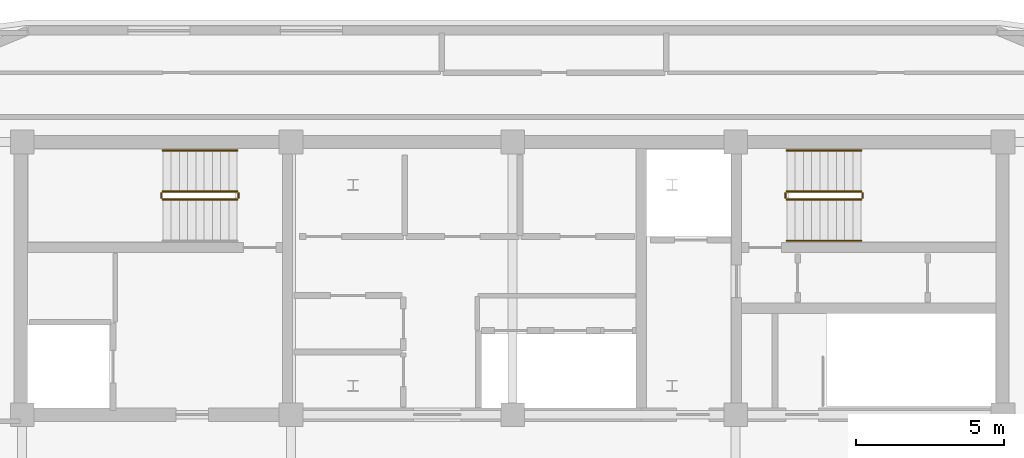
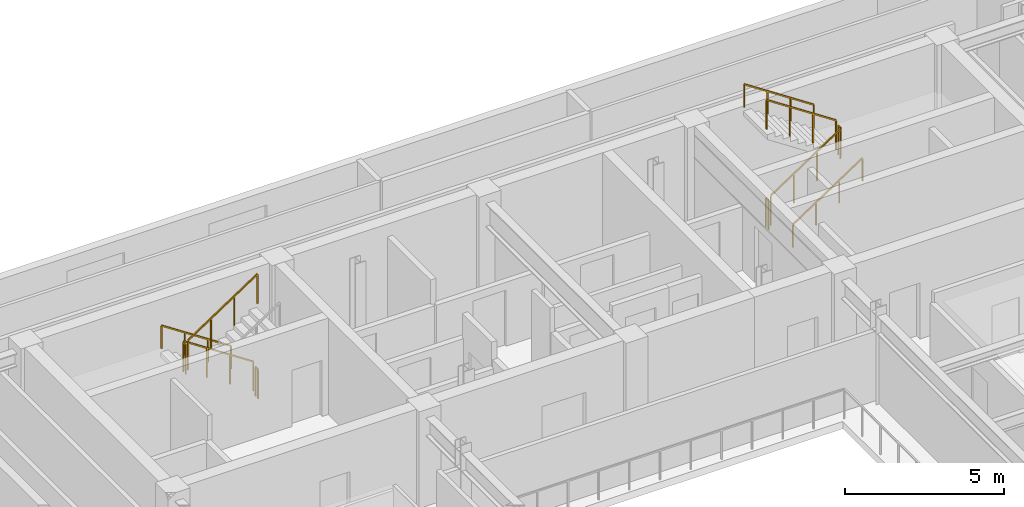
# One storey, part 11 of 11: 11 railings.
"""IFC4 building model written with IfcOpenShell, lengths in metres."""

from ifc_helpers import new_model, si_unit, direction, frame, origin, origin_2d, place, context, subcontext, project, spatial, rectangle, extrude, material, type_object, element, save


model = new_model("IFC4")

# Units and contexts
model_context = context("Model", 3, precision=1e-05, world=origin(), true_north=direction((0.0, 1.0)))
body_context = subcontext(model_context, "Body", "Model", "MODEL_VIEW")
ifc_project = project(units=[si_unit("LENGTHUNIT", "METRE"), si_unit("AREAUNIT", "SQUARE_METRE"), si_unit("VOLUMEUNIT", "CUBIC_METRE"), si_unit("PLANEANGLEUNIT", "RADIAN"), si_unit("MASSUNIT", "GRAM", prefix="KILO")], contexts=[model_context])

# Site, building, storey
site_placement = place(None, origin())
site = spatial("IfcSite", under=ifc_project, at=site_placement, CompositionType="ELEMENT")
building_placement = place(site_placement, origin())
building = spatial("IfcBuilding", under=site, at=building_placement, Name="Zarnavel Station Tower", CompositionType="ELEMENT")
storey_placement = place(building_placement, frame((0.0, 0.0, 276.89990234375)))
storey = spatial("IfcBuildingStorey", under=building, at=storey_placement, Name="L75", CompositionType="ELEMENT", Elevation=276.89990234375)

# Railings
ifc_material_1 = material(Name="Painted Steel S355J2 Balustrade", Category="steel")
railing_type_1 = type_object("IfcRailingType", Name="GR_INT_1150", PredefinedType="GUARDRAIL", material=ifc_material_1)
railing_1_placement = place(storey_placement, frame((19.47998046875, 35.3701171875, 0.18505859375)))
element("IfcRailing", 1, at=railing_1_placement, inside=storey, type_object=railing_type_1, Name="L75 ST1 stair guard 1", PredefinedType="GUARDRAIL", context=body_context, shape_type="SweptSolid", body=[
    extrude(rectangle(XDim=0.048095703125, YDim=0.048095703125, at=origin_2d()), frame((-0.001708984375, 0.0, 1.126953125), z_axis=(-0.834331337432, 0.0, 0.55126329406), x_axis=(0.0, -1.0, 0.0)), (0.0, 0.0, 1.0), 3.016357421875),
    extrude(rectangle(XDim=0.0419921875, YDim=0.0419921875, at=origin_2d()), origin(), (0.0, 0.0, 1.0), 1.101806640625),
    extrude(rectangle(XDim=0.0419921875, YDim=0.0419921875, at=origin_2d()), frame((-0.840087890625, 0.0, 0.554931640625)), (0.0, 0.0, 1.0), 1.101806640625),
    extrude(rectangle(XDim=0.0419921875, YDim=0.0419921875, at=origin_2d()), frame((-1.679931640625, 0.0, 1.110107421875)), (0.0, 0.0, 1.0), 1.101806640625),
    extrude(rectangle(XDim=0.0419921875, YDim=0.0419921875, at=origin_2d()), frame((-2.52001953125, 0.0, 1.6650390625)), (0.0, 0.0, 1.0), 1.101806640625),
])
railing_2_placement = place(storey_placement, frame((16.909912109375, 35.320068359375, 1.85009765625)))
element("IfcRailing", 2, at=railing_2_placement, inside=storey, type_object=railing_type_1, Name="L75 ST1 stair guard 2", PredefinedType="GUARDRAIL", context=body_context, shape_type="SweptSolid", body=[
    extrude(rectangle(XDim=0.048095703125, YDim=0.048095703125, at=origin_2d()), frame((0.0, -0.001953125, 1.1259765625), z_axis=(0.0, -1.0, 0.0), x_axis=(1.0, 0.0, 0.0)), (0.0, 0.0, 1.0), 0.15625),
    extrude(rectangle(XDim=0.0419921875, YDim=0.0419921875, at=origin_2d()), origin(), (0.0, 0.0, 1.0), 1.101806640625),
    extrude(rectangle(XDim=0.0419921875, YDim=0.0419921875, at=origin_2d()), frame((0.0, -0.16015625, 0.0)), (0.0, 0.0, 1.0), 1.101806640625),
])
railing_3_placement = place(storey_placement, frame((16.9599609375, 35.110107421875, 2.03515625)))
element("IfcRailing", 3, at=railing_3_placement, inside=storey, type_object=railing_type_1, Name="L75 ST1 stair guard 3", PredefinedType="GUARDRAIL", context=body_context, shape_type="SweptSolid", body=[
    extrude(rectangle(XDim=0.048095703125, YDim=0.048095703125, at=origin_2d()), frame((0.001708984375, 0.0, 1.126953125), z_axis=(0.834331337432, 0.0, 0.55126329406), x_axis=(0.0, 1.0, 0.0)), (0.0, 0.0, 1.0), 3.016357421875),
    extrude(rectangle(XDim=0.0419921875, YDim=0.0419921875, at=origin_2d()), origin(), (0.0, 0.0, 1.0), 1.101806640625),
    extrude(rectangle(XDim=0.0419921875, YDim=0.0419921875, at=origin_2d()), frame((0.840087890625, 0.0, 0.554931640625)), (0.0, 0.0, 1.0), 1.101806640625),
    extrude(rectangle(XDim=0.0419921875, YDim=0.0419921875, at=origin_2d()), frame((1.679931640625, 0.0, 1.110107421875)), (0.0, 0.0, 1.0), 1.101806640625),
    extrude(rectangle(XDim=0.0419921875, YDim=0.0419921875, at=origin_2d()), frame((2.52001953125, 0.0, 1.6650390625)), (0.0, 0.0, 1.0), 1.101806640625),
])
railing_4_placement = place(storey_placement, frame((19.530029296875, 35.320068359375, 0.0)))
element("IfcRailing", 4, at=railing_4_placement, inside=storey, type_object=railing_type_1, Name="L75 ST1 stair guard 4", PredefinedType="GUARDRAIL", context=body_context, shape_type="SweptSolid", body=[
    extrude(rectangle(XDim=0.048095703125, YDim=0.048095703125, at=origin_2d()), frame((0.0, -0.001953125, 1.1259765625), z_axis=(0.0, -1.0, 0.0), x_axis=(1.0, 0.0, 0.0)), (0.0, 0.0, 1.0), 0.15625),
    extrude(rectangle(XDim=0.0419921875, YDim=0.0419921875, at=origin_2d()), origin(), (0.0, 0.0, 1.0), 1.101806640625),
    extrude(rectangle(XDim=0.0419921875, YDim=0.0419921875, at=origin_2d()), frame((0.0, -0.16015625, 0.0)), (0.0, 0.0, 1.0), 1.101806640625),
])
railing_5_placement = place(storey_placement, frame((38.080078125, 35.110107421875, 0.18505859375)))
element("IfcRailing", 5, at=railing_5_placement, inside=storey, type_object=railing_type_1, Name="L75 ST2 stair guard 1", PredefinedType="GUARDRAIL", context=body_context, shape_type="SweptSolid", body=[
    extrude(rectangle(XDim=0.048095703125, YDim=0.048095703125, at=origin_2d()), frame((0.001708984375, 0.0, 1.126953125), z_axis=(0.834331337432, 0.0, 0.55126329406), x_axis=(0.0, 1.0, 0.0)), (0.0, 0.0, 1.0), 3.016357421875),
    extrude(rectangle(XDim=0.0419921875, YDim=0.0419921875, at=origin_2d()), origin(), (0.0, 0.0, 1.0), 1.101806640625),
    extrude(rectangle(XDim=0.0419921875, YDim=0.0419921875, at=origin_2d()), frame((0.840087890625, 0.0, 0.554931640625)), (0.0, 0.0, 1.0), 1.101806640625),
    extrude(rectangle(XDim=0.0419921875, YDim=0.0419921875, at=origin_2d()), frame((1.679931640625, 0.0, 1.110107421875)), (0.0, 0.0, 1.0), 1.101806640625),
    extrude(rectangle(XDim=0.0419921875, YDim=0.0419921875, at=origin_2d()), frame((2.52001953125, 0.0, 1.6650390625)), (0.0, 0.0, 1.0), 1.101806640625),
])
railing_6_placement = place(storey_placement, frame((40.64990234375, 35.159912109375, 1.85009765625)))
element("IfcRailing", 6, at=railing_6_placement, inside=storey, type_object=railing_type_1, Name="L75 ST2 stair guard 2", PredefinedType="GUARDRAIL", context=body_context, shape_type="SweptSolid", body=[
    extrude(rectangle(XDim=0.048095703125, YDim=0.048095703125, at=origin_2d()), frame((0.0, 0.001953125, 1.1259765625), z_axis=(0.0, 1.0, 0.0), x_axis=(-1.0, 0.0, 0.0)), (0.0, 0.0, 1.0), 0.15625),
    extrude(rectangle(XDim=0.0419921875, YDim=0.0419921875, at=origin_2d()), origin(), (0.0, 0.0, 1.0), 1.101806640625),
    extrude(rectangle(XDim=0.0419921875, YDim=0.0419921875, at=origin_2d()), frame((0.0, 0.16015625, 0.0)), (0.0, 0.0, 1.0), 1.101806640625),
])
railing_7_placement = place(storey_placement, frame((40.60009765625, 35.3701171875, 2.03515625)))
element("IfcRailing", 7, at=railing_7_placement, inside=storey, type_object=railing_type_1, Name="L75 ST2 stair guard 3", PredefinedType="GUARDRAIL", context=body_context, shape_type="SweptSolid", body=[
    extrude(rectangle(XDim=0.048095703125, YDim=0.048095703125, at=origin_2d()), frame((-0.001708984375, 0.0, 1.126953125), z_axis=(-0.834331337432, 0.0, 0.55126329406), x_axis=(0.0, -1.0, 0.0)), (0.0, 0.0, 1.0), 3.016357421875),
    extrude(rectangle(XDim=0.0419921875, YDim=0.0419921875, at=origin_2d()), origin(), (0.0, 0.0, 1.0), 1.101806640625),
    extrude(rectangle(XDim=0.0419921875, YDim=0.0419921875, at=origin_2d()), frame((-0.840087890625, 0.0, 0.554931640625)), (0.0, 0.0, 1.0), 1.101806640625),
    extrude(rectangle(XDim=0.0419921875, YDim=0.0419921875, at=origin_2d()), frame((-1.679931640625, 0.0, 1.110107421875)), (0.0, 0.0, 1.0), 1.101806640625),
    extrude(rectangle(XDim=0.0419921875, YDim=0.0419921875, at=origin_2d()), frame((-2.52001953125, 0.0, 1.6650390625)), (0.0, 0.0, 1.0), 1.101806640625),
])
railing_8_placement = place(storey_placement, frame((38.030029296875, 35.159912109375, 0.0)))
element("IfcRailing", 8, at=railing_8_placement, inside=storey, type_object=railing_type_1, Name="L75 ST2 stair guard 4", PredefinedType="GUARDRAIL", context=body_context, shape_type="SweptSolid", body=[
    extrude(rectangle(XDim=0.048095703125, YDim=0.048095703125, at=origin_2d()), frame((0.0, 0.001953125, 1.1259765625), z_axis=(0.0, 1.0, 0.0), x_axis=(-1.0, 0.0, 0.0)), (0.0, 0.0, 1.0), 0.15625),
    extrude(rectangle(XDim=0.0419921875, YDim=0.0419921875, at=origin_2d()), origin(), (0.0, 0.0, 1.0), 1.101806640625),
    extrude(rectangle(XDim=0.0419921875, YDim=0.0419921875, at=origin_2d()), frame((0.0, 0.16015625, 0.0)), (0.0, 0.0, 1.0), 1.101806640625),
])
ifc_material_2 = material(Name="Brushed Stainless Steel S355J2 Handrail", Category="steel")
railing_type_2 = type_object("IfcRailingType", Name="HR_STAIR_900", PredefinedType="HANDRAIL", material=ifc_material_2)
railing_9_placement = place(storey_placement, frame((19.47998046875, 36.77001953125, 0.18505859375)))
element("IfcRailing", 9, at=railing_9_placement, inside=storey, type_object=railing_type_2, Name="L75 ST1 stair handrail 1", PredefinedType="HANDRAIL", context=body_context, shape_type="SweptSolid", body=[
    extrude(rectangle(XDim=0.048095703125, YDim=0.048095703125, at=origin_2d()), frame((-0.001708984375, 0.0, 0.876953125), z_axis=(-0.834331337432, 0.0, 0.55126329406), x_axis=(0.0, -1.0, 0.0)), (0.0, 0.0, 1.0), 3.016357421875),
    extrude(rectangle(XDim=0.0419921875, YDim=0.0419921875, at=origin_2d()), origin(), (0.0, 0.0, 1.0), 0.851806640625),
    extrude(rectangle(XDim=0.0419921875, YDim=0.0419921875, at=origin_2d()), frame((-0.840087890625, 0.0, 0.554931640625)), (0.0, 0.0, 1.0), 0.851806640625),
    extrude(rectangle(XDim=0.0419921875, YDim=0.0419921875, at=origin_2d()), frame((-1.679931640625, 0.0, 1.110107421875)), (0.0, 0.0, 1.0), 0.851806640625),
    extrude(rectangle(XDim=0.0419921875, YDim=0.0419921875, at=origin_2d()), frame((-2.52001953125, 0.0, 1.6650390625)), (0.0, 0.0, 1.0), 0.851806640625),
])
railing_10_placement = place(storey_placement, frame((38.080078125, 33.7099609375, 0.18505859375)))
element("IfcRailing", 10, at=railing_10_placement, inside=storey, type_object=railing_type_2, Name="L75 ST2 stair handrail 1", PredefinedType="HANDRAIL", context=body_context, shape_type="SweptSolid", body=[
    extrude(rectangle(XDim=0.048095703125, YDim=0.048095703125, at=origin_2d()), frame((0.001708984375, 0.0, 0.876953125), z_axis=(0.834331337432, 0.0, 0.55126329406), x_axis=(0.0, 1.0, 0.0)), (0.0, 0.0, 1.0), 3.016357421875),
    extrude(rectangle(XDim=0.0419921875, YDim=0.0419921875, at=origin_2d()), origin(), (0.0, 0.0, 1.0), 0.851806640625),
    extrude(rectangle(XDim=0.0419921875, YDim=0.0419921875, at=origin_2d()), frame((0.840087890625, 0.0, 0.554931640625)), (0.0, 0.0, 1.0), 0.851806640625),
    extrude(rectangle(XDim=0.0419921875, YDim=0.0419921875, at=origin_2d()), frame((1.679931640625, 0.0, 1.110107421875)), (0.0, 0.0, 1.0), 0.851806640625),
    extrude(rectangle(XDim=0.0419921875, YDim=0.0419921875, at=origin_2d()), frame((2.52001953125, 0.0, 1.6650390625)), (0.0, 0.0, 1.0), 0.851806640625),
])
railing_11_placement = place(storey_placement, frame((40.60009765625, 36.77001953125, 2.03515625)))
element("IfcRailing", 11, at=railing_11_placement, inside=storey, type_object=railing_type_2, Name="L75 ST2 stair handrail 2", PredefinedType="HANDRAIL", context=body_context, shape_type="SweptSolid", body=[
    extrude(rectangle(XDim=0.048095703125, YDim=0.048095703125, at=origin_2d()), frame((-0.001708984375, 0.0, 0.876953125), z_axis=(-0.834331337432, 0.0, 0.55126329406), x_axis=(0.0, -1.0, 0.0)), (0.0, 0.0, 1.0), 3.016357421875),
    extrude(rectangle(XDim=0.0419921875, YDim=0.0419921875, at=origin_2d()), origin(), (0.0, 0.0, 1.0), 0.851806640625),
    extrude(rectangle(XDim=0.0419921875, YDim=0.0419921875, at=origin_2d()), frame((-0.840087890625, 0.0, 0.554931640625)), (0.0, 0.0, 1.0), 0.851806640625),
    extrude(rectangle(XDim=0.0419921875, YDim=0.0419921875, at=origin_2d()), frame((-1.679931640625, 0.0, 1.110107421875)), (0.0, 0.0, 1.0), 0.851806640625),
    extrude(rectangle(XDim=0.0419921875, YDim=0.0419921875, at=origin_2d()), frame((-2.52001953125, 0.0, 1.6650390625)), (0.0, 0.0, 1.0), 0.851806640625),
])

save(model, "model.ifc")
